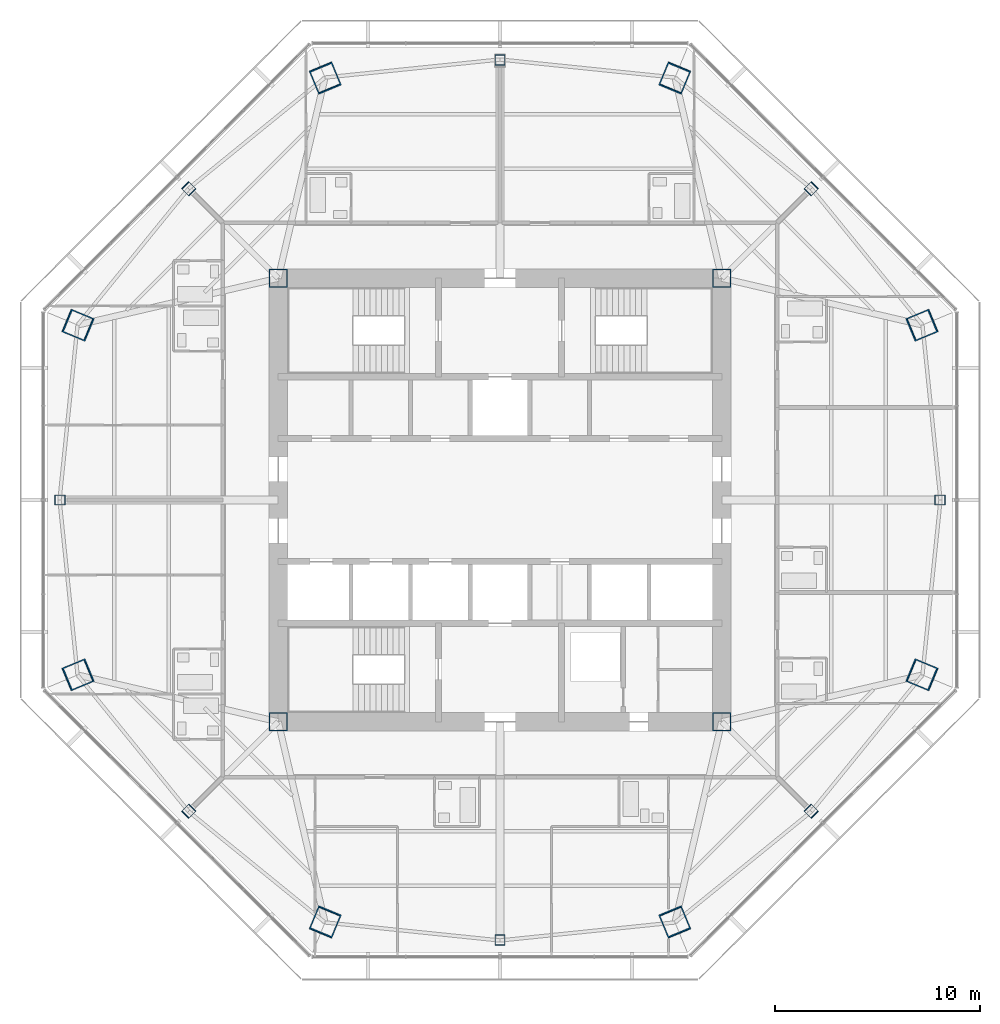
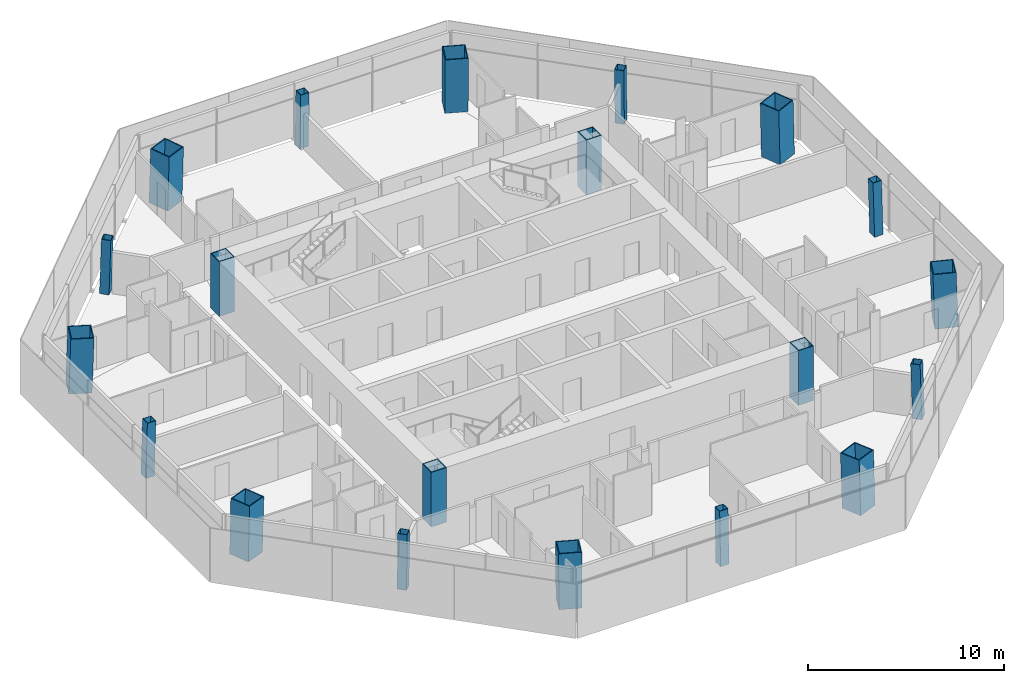
# One storey, part 1 of 15: 20 columns.
"""IFC4 building model written with IfcOpenShell, lengths in metres."""

from ifc_helpers import new_model, si_unit, direction, frame, origin, origin_2d, place, context, subcontext, project, spatial, hollow_rectangle, extrude, material, material_profile, profile_set, type_object, element, save


model = new_model("IFC4")

# Units and contexts
model_context = context("Model", 3, precision=1e-05, world=origin(), true_north=direction((0.0, 1.0)))
body_context = subcontext(model_context, "Body", "Model", "MODEL_VIEW")
ifc_project = project(units=[si_unit("LENGTHUNIT", "METRE"), si_unit("AREAUNIT", "SQUARE_METRE"), si_unit("VOLUMEUNIT", "CUBIC_METRE"), si_unit("PLANEANGLEUNIT", "RADIAN"), si_unit("MASSUNIT", "GRAM", prefix="KILO")], contexts=[model_context])

# Site, building, storey
site_placement = place(None, origin())
site = spatial("IfcSite", under=ifc_project, at=site_placement, CompositionType="ELEMENT")
building_placement = place(site_placement, origin())
building = spatial("IfcBuilding", under=site, at=building_placement, Name="Mashrafa Tower", CompositionType="ELEMENT")
storey_placement = place(building_placement, frame((0.0, 0.0, 204.0)))
storey = spatial("IfcBuildingStorey", under=building, at=storey_placement, Name="L46", CompositionType="ELEMENT", Elevation=204.0)

# Columns
ifc_material_1 = material(Name="Steel ASTM A572 Gr 50", Category="steel")
ifc_material_profile_1 = material_profile(ifc_material_1, hollow_rectangle(XDim=0.89990234375, YDim=0.89990234375, WallThickness=0.050048828125, at=origin_2d()), Name="BOX900X900X50")
ifc_profile_set_1 = profile_set([ifc_material_profile_1], Name="Steel ASTM A572 Gr 50")
column_type_1 = type_object("IfcColumnType", Name="Core corner column BOX900X900X50", PredefinedType="COLUMN", material=ifc_profile_set_1)
for number, where, z_axis, x_axis, name in (
    (1, (10.800048828125, 10.800048828125, 0.0), (0.0, 0.0, 1.0), (1.0, 0.0, 0.0), "Core corner column CC-NE L46"),
    (2, (-10.800048828125, 10.800048828125, 0.0), (0.0, 0.0, 1.0), (1.0, 0.0, 0.0), "Core corner column CC-NW L46"),
    (3, (-10.800048828125, -10.800048828125, 0.0), (0.0, 0.0, 1.0), (1.0, 0.0, 0.0), "Core corner column CC-SW L46"),
    (4, (10.800048828125, -10.800048828125, 0.0), (0.0, 0.0, 1.0), (1.0, 0.0, 0.0), "Core corner column CC-SE L46"),
):
    element("IfcColumn", number, at=place(storey_placement, frame(where, z_axis=z_axis, x_axis=x_axis)), inside=storey, type_object=column_type_1, Name=name, PredefinedType="COLUMN", context=body_context, shape_type="SweptSolid", body=[
        extrude(hollow_rectangle(XDim=0.89990234375, YDim=0.89990234375, WallThickness=0.050048828125, at=origin_2d()), origin(), (0.0, 0.0, 1.0), 3.39990234375),
    ])
ifc_material_2 = material(Name="Steel ASTM A572 Gr 50", Category="steel")
ifc_material_profile_2 = material_profile(ifc_material_2, hollow_rectangle(XDim=1.199951171875, YDim=1.199951171875, WallThickness=0.054931640625, at=origin_2d()), Name="BOX1200X1200X55")
ifc_profile_set_2 = profile_set([ifc_material_profile_2], Name="Steel ASTM A572 Gr 50")
column_type_2 = type_object("IfcColumnType", Name="Mega column CFST BOX1200X1200X55", PredefinedType="COLUMN", material=ifc_profile_set_2)
for number, where, z_axis, x_axis, name in (
    (5, (20.565673828125, 8.5185546875, 0.0), (-0.02827915051, -0.01169924247, 0.999531598986), (0.382282742426, -0.924045401938, 0.0), "Mega column MC1 L46"),
    (6, (8.5185546875, 20.565673828125, 0.0), (-0.01169924247, -0.02827915051, 0.999531598986), (0.924045401938, -0.382282742426, 0.0), "Mega column MC2 L46"),
    (7, (-8.5185546875, 20.565673828125, 0.0), (0.01169924247, -0.02827915051, 0.999531598986), (0.924045401938, 0.382282742426, 0.0), "Mega column MC3 L46"),
    (8, (-20.565673828125, 8.5185546875, 0.0), (0.02827915051, -0.01169924247, 0.999531598986), (0.382282742426, 0.924045401938, 0.0), "Mega column MC4 L46"),
    (9, (-20.565673828125, -8.5185546875, 0.0), (0.02827915051, 0.01169924247, 0.999531598986), (-0.382282742426, 0.924045401938, 0.0), "Mega column MC5 L46"),
    (10, (-8.5185546875, -20.565673828125, 0.0), (0.01169924247, 0.02827915051, 0.999531598986), (-0.924045401938, 0.382282742426, 0.0), "Mega column MC6 L46"),
    (11, (8.5185546875, -20.565673828125, 0.0), (-0.01169924247, 0.02827915051, 0.999531598986), (-0.924045401938, -0.382282742426, 0.0), "Mega column MC7 L46"),
    (12, (20.565673828125, -8.5185546875, 0.0), (-0.02827915051, 0.01169924247, 0.999531598986), (-0.382282742426, -0.924045401938, 0.0), "Mega column MC8 L46"),
):
    element("IfcColumn", number, at=place(storey_placement, frame(where, z_axis=z_axis, x_axis=x_axis)), inside=storey, type_object=column_type_2, Name=name, PredefinedType="COLUMN", context=body_context, shape_type="SweptSolid", body=[
        extrude(hollow_rectangle(XDim=1.199951171875, YDim=1.199951171875, WallThickness=0.054931640625, at=origin_2d()), origin(), (0.0, 0.0, 1.0), 3.401611328125),
    ])
ifc_material_3 = material(Name="Steel ASTM A572 Gr 50", Category="steel")
ifc_material_profile_3 = material_profile(ifc_material_3, hollow_rectangle(XDim=0.5, YDim=0.5, WallThickness=0.02490234375, at=origin_2d()), Name="BOX500X500X25")
ifc_profile_set_3 = profile_set([ifc_material_profile_3], Name="Steel ASTM A572 Gr 50")
column_type_3 = type_object("IfcColumnType", Name="Secondary column BOX500X500X25", PredefinedType="COLUMN", material=ifc_profile_set_3)
for number, where, z_axis, x_axis, name in (
    (13, (21.44384765625, 0.0, 0.0), (-0.028281086024, 0.0, 0.999600010091), (0.0, -1.0, 0.0), "Secondary column SC1 L46"),
    (14, (15.1630859375, 15.1630859375, 0.0), (-0.020026431307, -0.020026431307, 0.999598861593), (0.707106781187, -0.707106781187, 0.0), "Secondary column SC2 L46"),
    (15, (0.0, 21.44384765625, 0.0), (0.0, -0.028281086024, 0.999600010091), (1.0, 0.0, 0.0), "Secondary column SC3 L46"),
    (16, (-15.1630859375, 15.1630859375, 0.0), (0.020026431307, -0.020026431307, 0.999598861593), (0.707106781187, 0.707106781187, 0.0), "Secondary column SC4 L46"),
    (17, (-21.44384765625, 0.0, 0.0), (0.028281086024, 0.0, 0.999600010091), (0.0, 1.0, 0.0), "Secondary column SC5 L46"),
    (18, (-15.1630859375, -15.1630859375, 0.0), (0.020026431307, 0.020026431307, 0.999598861593), (-0.707106781187, 0.707106781187, 0.0), "Secondary column SC6 L46"),
    (19, (0.0, -21.44384765625, 0.0), (0.0, 0.028281086024, 0.999600010091), (-1.0, 0.0, 0.0), "Secondary column SC7 L46"),
    (20, (15.1630859375, -15.1630859375, 0.0), (-0.020026431307, 0.020026431307, 0.999598861593), (-0.707106781187, -0.707106781187, 0.0), "Secondary column SC8 L46"),
):
    element("IfcColumn", number, at=place(storey_placement, frame(where, z_axis=z_axis, x_axis=x_axis)), inside=storey, type_object=column_type_3, Name=name, PredefinedType="COLUMN", context=body_context, shape_type="SweptSolid", body=[
        extrude(hollow_rectangle(XDim=0.5, YDim=0.5, WallThickness=0.02490234375, at=origin_2d()), origin(), (0.0, 0.0, 1.0), 3.4013671875),
    ])

save(model, "model.ifc")
